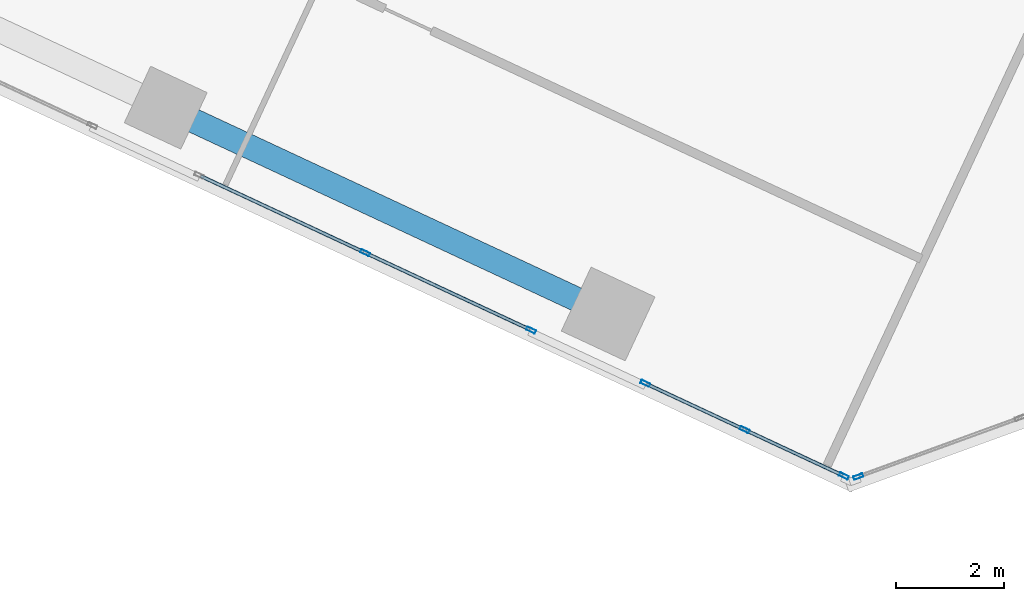
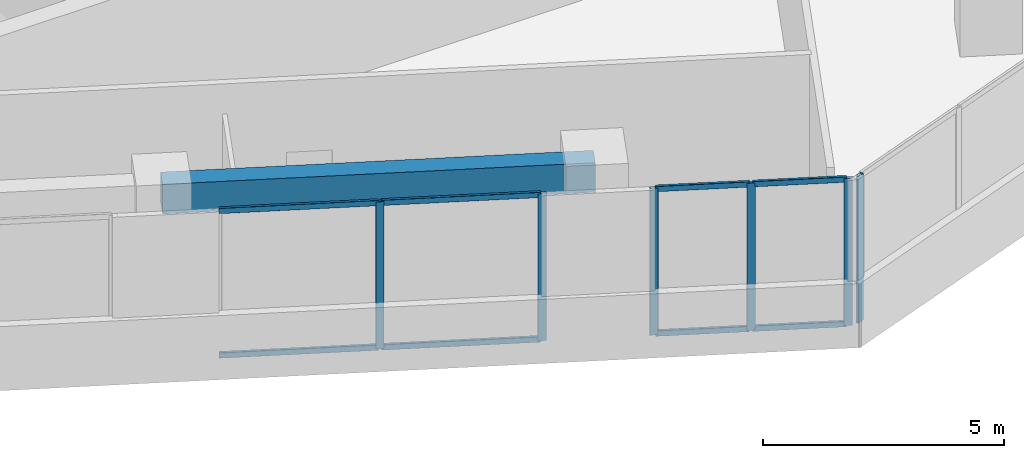
# One storey, part 4 of 23: 14 members, 1 beam, 3 elements without a shape of their own.
"""IFC4 building model written with IfcOpenShell, lengths in metres."""

from ifc_helpers import new_model, si_unit, direction, frame, origin, origin_2d, place, context, subcontext, project, spatial, rectangle, hollow_rectangle, extrude, source, transform, mapped, material, material_profile, profile_set, type_object, element, aggregate, save


model = new_model("IFC4")

# Units and contexts
model_context = context("Model", 3, precision=1e-05, world=origin(), true_north=direction((0.0, 1.0)))
body_context = subcontext(model_context, "Body", "Model", "MODEL_VIEW")
ifc_project = project(units=[si_unit("LENGTHUNIT", "METRE"), si_unit("AREAUNIT", "SQUARE_METRE"), si_unit("VOLUMEUNIT", "CUBIC_METRE"), si_unit("PLANEANGLEUNIT", "RADIAN"), si_unit("MASSUNIT", "GRAM", prefix="KILO")], contexts=[model_context])

# Site, building, storey
site_placement = place(None, origin())
site = spatial("IfcSite", under=ifc_project, at=site_placement, CompositionType="ELEMENT")
building_placement = place(site_placement, origin())
building = spatial("IfcBuilding", under=site, at=building_placement, Name="Torre Montelarca", CompositionType="ELEMENT")
storey_placement = place(building_placement, frame((0.0, 0.0, 154.0)))
storey = spatial("IfcBuildingStorey", under=building, at=storey_placement, Name="L34", CompositionType="ELEMENT", Elevation=154.0)

# Beam
ifc_material_1 = material(Name="Concrete C55/67", Category="concrete")
ifc_material_profile_1 = material_profile(ifc_material_1, rectangle(XDim=0.449951171875, YDim=0.75, at=origin_2d()), Name="RCB450X750", Category="concrete")
ifc_profile_set_1 = profile_set([ifc_material_profile_1], Name="Concrete C55/67")
beam_type = type_object("IfcBeamType", Name="BM-SP-RC750-EXT", PredefinedType="SPANDREL", material=ifc_profile_set_1)
shared_shape_1 = source(origin(), body_context, "Body", "SweptSolid", [
    extrude(rectangle(XDim=0.449951171875, YDim=0.75, at=origin_2d()), origin(), (0.0, 0.0, 1.0), 9.000244140625),
])
beam_placement = place(storey_placement, frame((11.058837890625, 17.890625, 3.5849609375), z_axis=(0.906316152515, -0.422600321452, 0.0), x_axis=(0.422600321452, 0.906316152515, 0.0)))
element("IfcBeam", 1, at=beam_placement, inside=storey, type_object=beam_type, Name="L34 Grid Girder X 18.0-27.0 at Y=14.8", PredefinedType="SPANDREL", context=body_context, shape_type="MappedRepresentation", body=[
    mapped(shared_shape_1, transform((0.0, 0.0, 0.0), scale=1.0)),
])

# Curtain wall, members
ifc_material_2 = material(Name="Insulated low-E laminated glass", Category="glass")
curtain_wall_type = type_object("IfcCurtainWallType", Name="CW-SYS-Z2", PredefinedType="USERDEFINED", material=ifc_material_2)
curtain_wall_1_placement = place(storey_placement, origin())
curtain_wall_1 = element("IfcCurtainWall", 2, at=curtain_wall_1_placement, inside=storey, type_object=curtain_wall_type, Name="L34 Curtain Wall Run CW-T3-L34-E01-B2", ObjectType="UNITISED GLAZING", PredefinedType="USERDEFINED")
ifc_material_3 = material(Name="Anodised aluminium AA 6063-T6", Category="aluminium")
ifc_material_profile_2 = material_profile(ifc_material_3, hollow_rectangle(XDim=0.06494140625, YDim=0.179931640625, WallThickness=0.00390625, InnerFilletRadius=0.00390625, OuterFilletRadius=0.008056640625, at=origin_2d()), Name="ALU65X180X4", Category="aluminium")
ifc_profile_set_2 = profile_set([ifc_material_profile_2], Name="Anodised aluminium AA 6063-T6")
member_type_1 = type_object("IfcMemberType", Name="CWM-ALU180", PredefinedType="MULLION", material=ifc_profile_set_2)
shared_shape_2 = source(origin(), body_context, "Body", "SweptSolid", [
    extrude(hollow_rectangle(XDim=0.06494140625, YDim=0.179931640625, WallThickness=0.00390625, InnerFilletRadius=0.00390625, OuterFilletRadius=0.008056640625, at=origin_2d()), origin(), (0.0, 0.0, 1.0), 3.719970703125),
])
member_1_placement = place(storey_placement, frame((14.735595703125, 15.21630859375, 0.0), z_axis=(0.0, 0.0, 1.0), x_axis=(0.42261232569, 0.906310555039, 0.0)))
member_1 = element("IfcMember", 3, at=member_1_placement, type_object=member_type_1, Name="CW mullion 2", PredefinedType="MULLION", context=body_context, shape_type="MappedRepresentation", body=[
    mapped(shared_shape_2, transform((0.0, 0.0, 0.0), scale=1.0)),
])
member_2_placement = place(storey_placement, frame((17.79443359375, 13.7900390625, 0.0), z_axis=(0.0, 0.0, 1.0), x_axis=(0.42261232569, 0.906310555039, 0.0)))
member_2 = element("IfcMember", 4, at=member_2_placement, type_object=member_type_1, Name="CW mullion 3", PredefinedType="MULLION", context=body_context, shape_type="MappedRepresentation", body=[
    mapped(shared_shape_2, transform((0.0, 0.0, 0.0), scale=1.0)),
])

curtain_wall_2_placement = place(storey_placement, origin())
curtain_wall_2 = element("IfcCurtainWall", 5, at=curtain_wall_2_placement, inside=storey, type_object=curtain_wall_type, Name="L34 Curtain Wall Run CW-T3-L34-E01-B3", ObjectType="UNITISED GLAZING", PredefinedType="USERDEFINED")
member_3_placement = place(storey_placement, frame((19.901611328125, 12.807373046875, 0.0), z_axis=(0.0, 0.0, 1.0), x_axis=(0.422611990299, 0.906310711432, 0.0)))
member_3 = element("IfcMember", 6, at=member_3_placement, type_object=member_type_1, Name="CW mullion 1", PredefinedType="MULLION", context=body_context, shape_type="MappedRepresentation", body=[
    mapped(shared_shape_2, transform((0.0, 0.0, 0.0), scale=1.0)),
])
member_4_placement = place(storey_placement, frame((21.73193359375, 11.953857421875, 0.0), z_axis=(0.0, 0.0, 1.0), x_axis=(0.422611990299, 0.906310711432, 0.0)))
member_4 = element("IfcMember", 7, at=member_4_placement, type_object=member_type_1, Name="CW mullion 2", PredefinedType="MULLION", context=body_context, shape_type="MappedRepresentation", body=[
    mapped(shared_shape_2, transform((0.0, 0.0, 0.0), scale=1.0)),
])
member_5_placement = place(storey_placement, frame((23.562255859375, 11.100341796875, 0.0), z_axis=(0.0, 0.0, 1.0), x_axis=(0.422611990299, 0.906310711432, 0.0)))
member_5 = element("IfcMember", 8, at=member_5_placement, type_object=member_type_1, Name="CW mullion 3", PredefinedType="MULLION", context=body_context, shape_type="MappedRepresentation", body=[
    mapped(shared_shape_2, transform((0.0, 0.0, 0.0), scale=1.0)),
])

# Curtain wall, member
curtain_wall_3_placement = place(storey_placement, origin())
curtain_wall_3 = element("IfcCurtainWall", 9, at=curtain_wall_3_placement, inside=storey, type_object=curtain_wall_type, Name="L34 Curtain Wall Run CW-T3-L34-E02-B1", ObjectType="UNITISED GLAZING", PredefinedType="USERDEFINED")
member_6_placement = place(storey_placement, frame((23.8291015625, 11.088623046875, 0.0), z_axis=(0.0, 0.0, 1.0), x_axis=(-0.342017799316, 0.939693473932, 0.0)))
member_6 = element("IfcMember", 10, at=member_6_placement, type_object=member_type_1, Name="CW mullion 1", PredefinedType="MULLION", context=body_context, shape_type="MappedRepresentation", body=[
    mapped(shared_shape_2, transform((0.0, 0.0, 0.0), scale=1.0)),
])
aggregate(curtain_wall_3, [member_6])

# Member
ifc_material_profile_3 = material_profile(ifc_material_3, hollow_rectangle(XDim=0.06494140625, YDim=0.139892578125, WallThickness=0.00390625, InnerFilletRadius=0.00390625, OuterFilletRadius=0.008056640625, at=origin_2d()), Name="ALU65X140X4", Category="aluminium")
ifc_profile_set_3 = profile_set([ifc_material_profile_3], Name="Anodised aluminium AA 6063-T6")
member_type_2 = type_object("IfcMemberType", Name="CWT-ALU140", PredefinedType="USERDEFINED", material=ifc_profile_set_3)
shared_shape_3 = source(origin(), body_context, "Body", "SweptSolid", [
    extrude(hollow_rectangle(XDim=0.06494140625, YDim=0.139892578125, WallThickness=0.00390625, InnerFilletRadius=0.00390625, OuterFilletRadius=0.008056640625, at=origin_2d()), origin(), (0.0, 0.0, 1.0), 3.31005859375),
])
member_7_placement = place(storey_placement, frame((11.706298828125, 16.62890625, 0.032470703125), z_axis=(0.906307462258, -0.422618958231, 0.0), x_axis=(0.422618958231, 0.906307462258, 0.0)))
member_7 = element("IfcMember", 11, at=member_7_placement, type_object=member_type_2, Name="CW transom 1.1", ObjectType="TRANSOM", PredefinedType="USERDEFINED", context=body_context, shape_type="MappedRepresentation", body=[
    mapped(shared_shape_3, transform((0.0, 0.0, 0.0), scale=1.0)),
])

member_8_placement = place(storey_placement, frame((11.706298828125, 16.62890625, 3.6875), z_axis=(0.906307462258, -0.422618958231, 0.0), x_axis=(0.422618958231, 0.906307462258, 0.0)))
member_8 = element("IfcMember", 12, at=member_8_placement, type_object=member_type_2, Name="CW transom 1.2", ObjectType="TRANSOM", PredefinedType="USERDEFINED", context=body_context, shape_type="MappedRepresentation", body=[
    mapped(shared_shape_3, transform((0.0, 0.0, 0.0), scale=1.0)),
])

shared_shape_4 = source(origin(), body_context, "Body", "SweptSolid", [
    extrude(hollow_rectangle(XDim=0.06494140625, YDim=0.139892578125, WallThickness=0.00390625, InnerFilletRadius=0.00390625, OuterFilletRadius=0.008056640625, at=origin_2d()), origin(), (0.0, 0.0, 1.0), 3.309814453125),
])
member_9_placement = place(storey_placement, frame((14.76513671875, 15.20263671875, 0.032470703125), z_axis=(0.906294287706, -0.422647209942, 0.0), x_axis=(0.422647209942, 0.906294287706, 0.0)))
member_9 = element("IfcMember", 13, at=member_9_placement, type_object=member_type_2, Name="CW transom 2.1", ObjectType="TRANSOM", PredefinedType="USERDEFINED", context=body_context, shape_type="MappedRepresentation", body=[
    mapped(shared_shape_4, transform((0.0, 0.0, 0.0), scale=1.0)),
])

member_10_placement = place(storey_placement, frame((14.76513671875, 15.20263671875, 3.6875), z_axis=(0.906294287706, -0.422647209942, 0.0), x_axis=(0.422647209942, 0.906294287706, 0.0)))
member_10 = element("IfcMember", 14, at=member_10_placement, type_object=member_type_2, Name="CW transom 2.2", ObjectType="TRANSOM", PredefinedType="USERDEFINED", context=body_context, shape_type="MappedRepresentation", body=[
    mapped(shared_shape_4, transform((0.0, 0.0, 0.0), scale=1.0)),
])

aggregate(curtain_wall_1, [member_1, member_2, member_7, member_8, member_9, member_10])

shared_shape_5 = source(origin(), body_context, "Body", "SweptSolid", [
    extrude(hollow_rectangle(XDim=0.06494140625, YDim=0.139892578125, WallThickness=0.00390625, InnerFilletRadius=0.00390625, OuterFilletRadius=0.008056640625, at=origin_2d()), origin(), (0.0, 0.0, 1.0), 1.954345703125),
])
member_11_placement = place(storey_placement, frame((19.93115234375, 12.793701171875, 0.032470703125), z_axis=(0.90626290575, -0.422714496631, 0.0), x_axis=(0.422714496631, 0.90626290575, 0.0)))
member_11 = element("IfcMember", 15, at=member_11_placement, type_object=member_type_2, Name="CW transom 1.1", ObjectType="TRANSOM", PredefinedType="USERDEFINED", context=body_context, shape_type="MappedRepresentation", body=[
    mapped(shared_shape_5, transform((0.0, 0.0, 0.0), scale=1.0)),
])

member_12_placement = place(storey_placement, frame((19.93115234375, 12.793701171875, 3.6875), z_axis=(0.90626290575, -0.422714496631, 0.0), x_axis=(0.422714496631, 0.90626290575, 0.0)))
member_12 = element("IfcMember", 16, at=member_12_placement, type_object=member_type_2, Name="CW transom 1.2", ObjectType="TRANSOM", PredefinedType="USERDEFINED", context=body_context, shape_type="MappedRepresentation", body=[
    mapped(shared_shape_5, transform((0.0, 0.0, 0.0), scale=1.0)),
])

member_13_placement = place(storey_placement, frame((21.761474609375, 11.940185546875, 0.032470703125), z_axis=(0.906310756456, -0.422611893741, 0.0), x_axis=(0.422611893741, 0.906310756456, 0.0)))
member_13 = element("IfcMember", 17, at=member_13_placement, type_object=member_type_2, Name="CW transom 2.1", ObjectType="TRANSOM", PredefinedType="USERDEFINED", context=body_context, shape_type="MappedRepresentation", body=[
    mapped(shared_shape_5, transform((0.0, 0.0, 0.0), scale=1.0)),
])

member_14_placement = place(storey_placement, frame((21.761474609375, 11.940185546875, 3.6875), z_axis=(0.906310756456, -0.422611893741, 0.0), x_axis=(0.422611893741, 0.906310756456, 0.0)))
member_14 = element("IfcMember", 18, at=member_14_placement, type_object=member_type_2, Name="CW transom 2.2", ObjectType="TRANSOM", PredefinedType="USERDEFINED", context=body_context, shape_type="MappedRepresentation", body=[
    mapped(shared_shape_5, transform((0.0, 0.0, 0.0), scale=1.0)),
])

aggregate(curtain_wall_2, [member_3, member_4, member_5, member_11, member_12, member_13, member_14])

save(model, "model.ifc")
